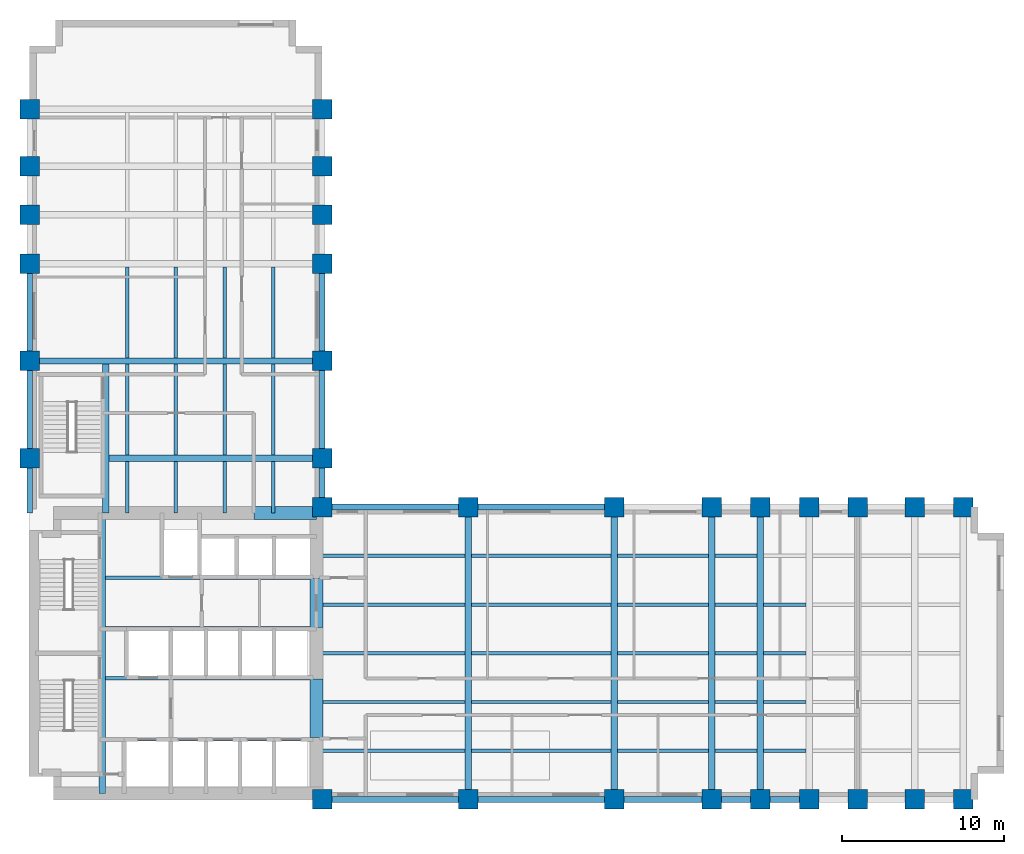
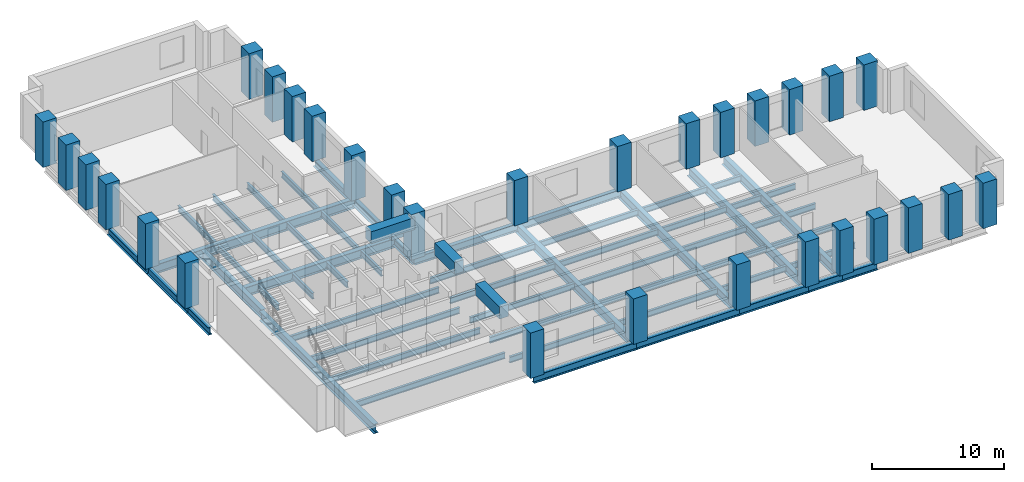
# One storey, part 1 of 7: 64 beams, 30 columns.
"""IFC4 building model written with IfcOpenShell, lengths in metres."""

from ifc_helpers import new_model, si_unit, direction, frame, origin, origin_2d, place, context, subcontext, project, spatial, rectangle, i_section, extrude, material, material_profile, profile_set, type_object, element, save


model = new_model("IFC4")

# Units and contexts
model_context = context("Model", 3, precision=1e-05, world=origin(), true_north=direction((0.0, 1.0)))
body_context = subcontext(model_context, "Body", "Model", "MODEL_VIEW")
ifc_project = project(units=[si_unit("LENGTHUNIT", "METRE"), si_unit("AREAUNIT", "SQUARE_METRE"), si_unit("VOLUMEUNIT", "CUBIC_METRE"), si_unit("PLANEANGLEUNIT", "RADIAN"), si_unit("MASSUNIT", "GRAM", prefix="KILO")], contexts=[model_context])

# Site, building, storey
site_placement = place(None, origin())
site = spatial("IfcSite", under=ifc_project, at=site_placement, CompositionType="ELEMENT")
building_placement = place(site_placement, origin())
building = spatial("IfcBuilding", under=site, at=building_placement, Name="Mawjdan Bourse Tower", CompositionType="ELEMENT")
storey_placement = place(building_placement, frame((0.0, 0.0, 30.0)))
storey = spatial("IfcBuildingStorey", under=building, at=storey_placement, Name="L06", CompositionType="ELEMENT", Elevation=30.0)

# Columns
ifc_material_1 = material(Name="Concrete C80/95", Category="concrete")
ifc_material_profile_1 = material_profile(ifc_material_1, rectangle(XDim=1.199951171875, YDim=1.199951171875, at=origin_2d()), Name="RC1200X1200")
ifc_profile_set_1 = profile_set([ifc_material_profile_1], Name="Concrete C80/95")
column_type = type_object("IfcColumnType", Name="COL-RC1200X1200", PredefinedType="COLUMN", material=ifc_profile_set_1)
for number, where, z_axis, x_axis, name in (
    (1, (24.0, 3.0, 0.0), (0.0, 0.0, 1.0), (1.0, 0.0, 0.0), "L06 Structural Column C-X240-Y30"),
    (2, (24.0, 21.0, 0.0), (0.0, 0.0, 1.0), (1.0, 0.0, 0.0), "L06 Structural Column C-X240-Y210"),
    (3, (33.0, 3.0, 0.0), (0.0, 0.0, 1.0), (1.0, 0.0, 0.0), "L06 Structural Column C-X330-Y30"),
    (4, (33.0, 21.0, 0.0), (0.0, 0.0, 1.0), (1.0, 0.0, 0.0), "L06 Structural Column C-X330-Y210"),
    (5, (42.0, 3.0, 0.0), (0.0, 0.0, 1.0), (1.0, 0.0, 0.0), "L06 Structural Column C-X420-Y30"),
    (6, (42.0, 21.0, 0.0), (0.0, 0.0, 1.0), (1.0, 0.0, 0.0), "L06 Structural Column C-X420-Y210"),
    (7, (48.0, 3.0, 0.0), (0.0, 0.0, 1.0), (1.0, 0.0, 0.0), "L06 Structural Column C-X480-Y30"),
    (8, (48.0, 21.0, 0.0), (0.0, 0.0, 1.0), (1.0, 0.0, 0.0), "L06 Structural Column C-X480-Y210"),
    (9, (51.0, 3.0, 0.0), (0.0, 0.0, 1.0), (1.0, 0.0, 0.0), "L06 Structural Column C-X510-Y30"),
    (10, (51.0, 21.0, 0.0), (0.0, 0.0, 1.0), (1.0, 0.0, 0.0), "L06 Structural Column C-X510-Y210"),
    (11, (54.0, 3.0, 0.0), (0.0, 0.0, 1.0), (1.0, 0.0, 0.0), "L06 Structural Column C-X540-Y30"),
    (12, (54.0, 21.0, 0.0), (0.0, 0.0, 1.0), (1.0, 0.0, 0.0), "L06 Structural Column C-X540-Y210"),
    (13, (57.0, 3.0, 0.0), (0.0, 0.0, 1.0), (1.0, 0.0, 0.0), "L06 Structural Column C-X570-Y30"),
    (14, (57.0, 21.0, 0.0), (0.0, 0.0, 1.0), (1.0, 0.0, 0.0), "L06 Structural Column C-X570-Y210"),
    (15, (60.5, 3.0, 0.0), (0.0, 0.0, 1.0), (1.0, 0.0, 0.0), "L06 Structural Column C-X605-Y30"),
    (16, (60.5, 21.0, 0.0), (0.0, 0.0, 1.0), (1.0, 0.0, 0.0), "L06 Structural Column C-X605-Y210"),
    (17, (63.5, 3.0, 0.0), (0.0, 0.0, 1.0), (1.0, 0.0, 0.0), "L06 Structural Column C-X635-Y30"),
    (18, (63.5, 21.0, 0.0), (0.0, 0.0, 1.0), (1.0, 0.0, 0.0), "L06 Structural Column C-X635-Y210"),
    (19, (6.0, 24.0, 0.0), (0.0, 0.0, 1.0), (1.0, 0.0, 0.0), "L06 Structural Column C-X60-Y240"),
    (20, (24.0, 24.0, 0.0), (0.0, 0.0, 1.0), (1.0, 0.0, 0.0), "L06 Structural Column C-X240-Y240"),
    (21, (6.0, 30.0, 0.0), (0.0, 0.0, 1.0), (1.0, 0.0, 0.0), "L06 Structural Column C-X60-Y300"),
    (22, (24.0, 30.0, 0.0), (0.0, 0.0, 1.0), (1.0, 0.0, 0.0), "L06 Structural Column C-X240-Y300"),
    (23, (6.0, 36.0, 0.0), (0.0, 0.0, 1.0), (1.0, 0.0, 0.0), "L06 Structural Column C-X60-Y360"),
    (24, (24.0, 36.0, 0.0), (0.0, 0.0, 1.0), (1.0, 0.0, 0.0), "L06 Structural Column C-X240-Y360"),
    (25, (6.0, 39.0, 0.0), (0.0, 0.0, 1.0), (1.0, 0.0, 0.0), "L06 Structural Column C-X60-Y390"),
    (26, (24.0, 39.0, 0.0), (0.0, 0.0, 1.0), (1.0, 0.0, 0.0), "L06 Structural Column C-X240-Y390"),
    (27, (6.0, 42.0, 0.0), (0.0, 0.0, 1.0), (1.0, 0.0, 0.0), "L06 Structural Column C-X60-Y420"),
    (28, (24.0, 42.0, 0.0), (0.0, 0.0, 1.0), (1.0, 0.0, 0.0), "L06 Structural Column C-X240-Y420"),
    (29, (6.0, 45.5, 0.0), (0.0, 0.0, 1.0), (1.0, 0.0, 0.0), "L06 Structural Column C-X60-Y455"),
    (30, (24.0, 45.5, 0.0), (0.0, 0.0, 1.0), (1.0, 0.0, 0.0), "L06 Structural Column C-X240-Y455"),
):
    element("IfcColumn", number, at=place(storey_placement, frame(where, z_axis=z_axis, x_axis=x_axis)), inside=storey, type_object=column_type, Name=name, PredefinedType="COLUMN", context=body_context, shape_type="SweptSolid", body=[
        extrude(rectangle(XDim=1.199951171875, YDim=1.199951171875, at=origin_2d()), origin(), (0.0, 0.0, 1.0), 4.199951171875),
    ])

# Beams
ifc_material_2 = material(Name="Structural Steel S355", Category="steel")
ifc_material_profile_2 = material_profile(ifc_material_2, i_section(OverallWidth=0.39892578125, OverallDepth=0.85595703125, WebThickness=0.018310546875, FlangeThickness=0.029296875, FilletRadius=0.0234375, at=origin_2d()), Name="W33X201")
ifc_profile_set_2 = profile_set([ifc_material_profile_2], Name="Structural Steel S355")
beam_type_1 = type_object("IfcBeamType", Name="GRD-W33X201", PredefinedType="BEAM", material=ifc_profile_set_2)
beam_1_placement = place(storey_placement, frame((10.47998046875, 3.35009765625, -0.64794921875), z_axis=(0.0, 1.0, 0.0), x_axis=(-1.0, 0.0, 0.0)))
element("IfcBeam", 31, at=beam_1_placement, inside=storey, type_object=beam_type_1, Name="L06 Core Stair Trimmer Girder 001", PredefinedType="BEAM", context=body_context, shape_type="SweptSolid", body=[
    extrude(i_section(OverallWidth=0.39892578125, OverallDepth=0.85595703125, WebThickness=0.018310546875, FlangeThickness=0.029296875, FilletRadius=0.0234375, at=origin_2d()), origin(), (0.0, 0.0, 1.0), 17.2998046875),
])
for number, where, z_axis, x_axis, name in (
    (32, (33.0, 3.0, -0.64794921875), (0.0, 1.0, 0.0), (-1.0, 0.0, 0.0), "L06 East Wing Clear-Span Girder 002"),
    (33, (42.0, 3.0, -0.64794921875), (0.0, 1.0, 0.0), (-1.0, 0.0, 0.0), "L06 East Wing Clear-Span Girder 003"),
    (34, (48.0, 3.0, -0.64794921875), (0.0, 1.0, 0.0), (-1.0, 0.0, 0.0), "L06 East Wing Clear-Span Girder 004"),
    (35, (51.0, 3.0, -0.64794921875), (0.0, 1.0, 0.0), (-1.0, 0.0, 0.0), "L06 East Wing Clear-Span Girder 005"),
):
    element("IfcBeam", number, at=place(storey_placement, frame(where, z_axis=z_axis, x_axis=x_axis)), inside=storey, type_object=beam_type_1, Name=name, PredefinedType="BEAM", context=body_context, shape_type="SweptSolid", body=[
        extrude(i_section(OverallWidth=0.39892578125, OverallDepth=0.85595703125, WebThickness=0.018310546875, FlangeThickness=0.029296875, FilletRadius=0.0234375, at=origin_2d()), origin(), (0.0, 0.0, 1.0), 18.0),
    ])
beam_2_placement = place(storey_placement, frame((10.679931640625, 20.64990234375, -0.64794921875), z_axis=(0.0, 1.0, 0.0), x_axis=(-1.0, 0.0, 0.0)))
element("IfcBeam", 36, at=beam_2_placement, inside=storey, type_object=beam_type_1, Name="L06 North Wing Stair Trimmer Girder 070", PredefinedType="BEAM", context=body_context, shape_type="SweptSolid", body=[
    extrude(i_section(OverallWidth=0.39892578125, OverallDepth=0.85595703125, WebThickness=0.018310546875, FlangeThickness=0.029296875, FilletRadius=0.0234375, at=origin_2d()), origin(), (0.0, 0.0, 1.0), 9.152587890625),
])
beam_3_placement = place(storey_placement, frame((10.87744140625, 24.0, -0.64794921875), z_axis=(1.0, 0.0, 0.0), x_axis=(0.0, 1.0, 0.0)))
element("IfcBeam", 37, at=beam_3_placement, inside=storey, type_object=beam_type_1, Name="L06 North Wing Clear-Span Girder 071", PredefinedType="BEAM", context=body_context, shape_type="SweptSolid", body=[
    extrude(i_section(OverallWidth=0.39892578125, OverallDepth=0.85595703125, WebThickness=0.018310546875, FlangeThickness=0.029296875, FilletRadius=0.0234375, at=origin_2d()), origin(), (0.0, 0.0, 1.0), 13.12255859375),
])
beam_4_placement = place(storey_placement, frame((6.0, 30.0, -0.64794921875), z_axis=(1.0, 0.0, 0.0), x_axis=(0.0, 1.0, 0.0)))
element("IfcBeam", 38, at=beam_4_placement, inside=storey, type_object=beam_type_1, Name="L06 North Wing Clear-Span Girder 072", PredefinedType="BEAM", context=body_context, shape_type="SweptSolid", body=[
    extrude(i_section(OverallWidth=0.39892578125, OverallDepth=0.85595703125, WebThickness=0.018310546875, FlangeThickness=0.029296875, FilletRadius=0.0234375, at=origin_2d()), origin(), (0.0, 0.0, 1.0), 18.0),
])
ifc_material_profile_3 = material_profile(ifc_material_2, i_section(OverallWidth=0.2119140625, OverallDepth=0.5439453125, WebThickness=0.01318359375, FlangeThickness=0.021240234375, FilletRadius=0.01708984375, at=origin_2d()), Name="W21X83")
ifc_profile_set_3 = profile_set([ifc_material_profile_3], Name="Structural Steel S355")
beam_type_2 = type_object("IfcBeamType", Name="JST-W21X83", PredefinedType="JOIST", material=ifc_profile_set_3)
beam_5_placement = place(storey_placement, frame((23.64990234375, 6.0, -0.491943359375), z_axis=(1.0, 0.0, 0.0), x_axis=(0.0, 1.0, 0.0)))
element("IfcBeam", 39, at=beam_5_placement, inside=storey, type_object=beam_type_2, Name="L06 East Wing Composite Joist 026", PredefinedType="JOIST", context=body_context, shape_type="SweptSolid", body=[
    extrude(i_section(OverallWidth=0.2119140625, OverallDepth=0.5439453125, WebThickness=0.01318359375, FlangeThickness=0.021240234375, FilletRadius=0.01708984375, at=origin_2d()), origin(), (0.0, 0.0, 1.0), 9.152587890625),
])
beam_6_placement = place(storey_placement, frame((33.197509765625, 6.0, -0.491943359375), z_axis=(1.0, 0.0, 0.0), x_axis=(0.0, 1.0, 0.0)))
element("IfcBeam", 40, at=beam_6_placement, inside=storey, type_object=beam_type_2, Name="L06 East Wing Composite Joist 027", PredefinedType="JOIST", context=body_context, shape_type="SweptSolid", body=[
    extrude(i_section(OverallWidth=0.2119140625, OverallDepth=0.5439453125, WebThickness=0.01318359375, FlangeThickness=0.021240234375, FilletRadius=0.01708984375, at=origin_2d()), origin(), (0.0, 0.0, 1.0), 8.60498046875),
])
beam_7_placement = place(storey_placement, frame((42.197509765625, 6.0, -0.491943359375), z_axis=(1.0, 0.0, 0.0), x_axis=(0.0, 1.0, 0.0)))
element("IfcBeam", 41, at=beam_7_placement, inside=storey, type_object=beam_type_2, Name="L06 East Wing Composite Joist 028", PredefinedType="JOIST", context=body_context, shape_type="SweptSolid", body=[
    extrude(i_section(OverallWidth=0.2119140625, OverallDepth=0.5439453125, WebThickness=0.01318359375, FlangeThickness=0.021240234375, FilletRadius=0.01708984375, at=origin_2d()), origin(), (0.0, 0.0, 1.0), 5.60498046875),
])
for number, where, z_axis, x_axis, name in (
    (42, (48.197509765625, 6.0, -0.491943359375), (1.0, 0.0, 0.0), (0.0, 1.0, 0.0), "L06 East Wing Composite Joist 029"),
    (43, (51.197509765625, 6.0, -0.491943359375), (1.0, 0.0, 0.0), (0.0, 1.0, 0.0), "L06 East Wing Composite Joist 030"),
):
    element("IfcBeam", number, at=place(storey_placement, frame(where, z_axis=z_axis, x_axis=x_axis)), inside=storey, type_object=beam_type_2, Name=name, PredefinedType="JOIST", context=body_context, shape_type="SweptSolid", body=[
        extrude(i_section(OverallWidth=0.2119140625, OverallDepth=0.5439453125, WebThickness=0.01318359375, FlangeThickness=0.021240234375, FilletRadius=0.01708984375, at=origin_2d()), origin(), (0.0, 0.0, 1.0), 2.60498046875),
    ])
beam_8_placement = place(storey_placement, frame((23.64990234375, 9.0, -0.491943359375), z_axis=(1.0, 0.0, 0.0), x_axis=(0.0, 1.0, 0.0)))
element("IfcBeam", 44, at=beam_8_placement, inside=storey, type_object=beam_type_2, Name="L06 East Wing Composite Joist 034", PredefinedType="JOIST", context=body_context, shape_type="SweptSolid", body=[
    extrude(i_section(OverallWidth=0.2119140625, OverallDepth=0.5439453125, WebThickness=0.01318359375, FlangeThickness=0.021240234375, FilletRadius=0.01708984375, at=origin_2d()), origin(), (0.0, 0.0, 1.0), 9.152587890625),
])
beam_9_placement = place(storey_placement, frame((33.197509765625, 9.0, -0.491943359375), z_axis=(1.0, 0.0, 0.0), x_axis=(0.0, 1.0, 0.0)))
element("IfcBeam", 45, at=beam_9_placement, inside=storey, type_object=beam_type_2, Name="L06 East Wing Composite Joist 035", PredefinedType="JOIST", context=body_context, shape_type="SweptSolid", body=[
    extrude(i_section(OverallWidth=0.2119140625, OverallDepth=0.5439453125, WebThickness=0.01318359375, FlangeThickness=0.021240234375, FilletRadius=0.01708984375, at=origin_2d()), origin(), (0.0, 0.0, 1.0), 8.60498046875),
])
beam_10_placement = place(storey_placement, frame((42.197509765625, 9.0, -0.491943359375), z_axis=(1.0, 0.0, 0.0), x_axis=(0.0, 1.0, 0.0)))
element("IfcBeam", 46, at=beam_10_placement, inside=storey, type_object=beam_type_2, Name="L06 East Wing Composite Joist 036", PredefinedType="JOIST", context=body_context, shape_type="SweptSolid", body=[
    extrude(i_section(OverallWidth=0.2119140625, OverallDepth=0.5439453125, WebThickness=0.01318359375, FlangeThickness=0.021240234375, FilletRadius=0.01708984375, at=origin_2d()), origin(), (0.0, 0.0, 1.0), 5.60498046875),
])
for number, where, z_axis, x_axis, name in (
    (47, (48.197509765625, 9.0, -0.491943359375), (1.0, 0.0, 0.0), (0.0, 1.0, 0.0), "L06 East Wing Composite Joist 037"),
    (48, (51.197509765625, 9.0, -0.491943359375), (1.0, 0.0, 0.0), (0.0, 1.0, 0.0), "L06 East Wing Composite Joist 038"),
):
    element("IfcBeam", number, at=place(storey_placement, frame(where, z_axis=z_axis, x_axis=x_axis)), inside=storey, type_object=beam_type_2, Name=name, PredefinedType="JOIST", context=body_context, shape_type="SweptSolid", body=[
        extrude(i_section(OverallWidth=0.2119140625, OverallDepth=0.5439453125, WebThickness=0.01318359375, FlangeThickness=0.021240234375, FilletRadius=0.01708984375, at=origin_2d()), origin(), (0.0, 0.0, 1.0), 2.60498046875),
    ])
beam_11_placement = place(storey_placement, frame((23.64990234375, 12.0, -0.491943359375), z_axis=(1.0, 0.0, 0.0), x_axis=(0.0, 1.0, 0.0)))
element("IfcBeam", 49, at=beam_11_placement, inside=storey, type_object=beam_type_2, Name="L06 East Wing Composite Joist 042", PredefinedType="JOIST", context=body_context, shape_type="SweptSolid", body=[
    extrude(i_section(OverallWidth=0.2119140625, OverallDepth=0.5439453125, WebThickness=0.01318359375, FlangeThickness=0.021240234375, FilletRadius=0.01708984375, at=origin_2d()), origin(), (0.0, 0.0, 1.0), 9.152587890625),
])
beam_12_placement = place(storey_placement, frame((33.197509765625, 12.0, -0.491943359375), z_axis=(1.0, 0.0, 0.0), x_axis=(0.0, 1.0, 0.0)))
element("IfcBeam", 50, at=beam_12_placement, inside=storey, type_object=beam_type_2, Name="L06 East Wing Composite Joist 043", PredefinedType="JOIST", context=body_context, shape_type="SweptSolid", body=[
    extrude(i_section(OverallWidth=0.2119140625, OverallDepth=0.5439453125, WebThickness=0.01318359375, FlangeThickness=0.021240234375, FilletRadius=0.01708984375, at=origin_2d()), origin(), (0.0, 0.0, 1.0), 8.60498046875),
])
beam_13_placement = place(storey_placement, frame((42.197509765625, 12.0, -0.491943359375), z_axis=(1.0, 0.0, 0.0), x_axis=(0.0, 1.0, 0.0)))
element("IfcBeam", 51, at=beam_13_placement, inside=storey, type_object=beam_type_2, Name="L06 East Wing Composite Joist 044", PredefinedType="JOIST", context=body_context, shape_type="SweptSolid", body=[
    extrude(i_section(OverallWidth=0.2119140625, OverallDepth=0.5439453125, WebThickness=0.01318359375, FlangeThickness=0.021240234375, FilletRadius=0.01708984375, at=origin_2d()), origin(), (0.0, 0.0, 1.0), 5.60498046875),
])
for number, where, z_axis, x_axis, name in (
    (52, (48.197509765625, 12.0, -0.491943359375), (1.0, 0.0, 0.0), (0.0, 1.0, 0.0), "L06 East Wing Composite Joist 045"),
    (53, (51.197509765625, 12.0, -0.491943359375), (1.0, 0.0, 0.0), (0.0, 1.0, 0.0), "L06 East Wing Composite Joist 046"),
):
    element("IfcBeam", number, at=place(storey_placement, frame(where, z_axis=z_axis, x_axis=x_axis)), inside=storey, type_object=beam_type_2, Name=name, PredefinedType="JOIST", context=body_context, shape_type="SweptSolid", body=[
        extrude(i_section(OverallWidth=0.2119140625, OverallDepth=0.5439453125, WebThickness=0.01318359375, FlangeThickness=0.021240234375, FilletRadius=0.01708984375, at=origin_2d()), origin(), (0.0, 0.0, 1.0), 2.60498046875),
    ])
beam_14_placement = place(storey_placement, frame((23.64990234375, 15.0, -0.491943359375), z_axis=(1.0, 0.0, 0.0), x_axis=(0.0, 1.0, 0.0)))
element("IfcBeam", 54, at=beam_14_placement, inside=storey, type_object=beam_type_2, Name="L06 East Wing Composite Joist 050", PredefinedType="JOIST", context=body_context, shape_type="SweptSolid", body=[
    extrude(i_section(OverallWidth=0.2119140625, OverallDepth=0.5439453125, WebThickness=0.01318359375, FlangeThickness=0.021240234375, FilletRadius=0.01708984375, at=origin_2d()), origin(), (0.0, 0.0, 1.0), 9.152587890625),
])
beam_15_placement = place(storey_placement, frame((33.197509765625, 15.0, -0.491943359375), z_axis=(1.0, 0.0, 0.0), x_axis=(0.0, 1.0, 0.0)))
element("IfcBeam", 55, at=beam_15_placement, inside=storey, type_object=beam_type_2, Name="L06 East Wing Composite Joist 051", PredefinedType="JOIST", context=body_context, shape_type="SweptSolid", body=[
    extrude(i_section(OverallWidth=0.2119140625, OverallDepth=0.5439453125, WebThickness=0.01318359375, FlangeThickness=0.021240234375, FilletRadius=0.01708984375, at=origin_2d()), origin(), (0.0, 0.0, 1.0), 8.60498046875),
])
beam_16_placement = place(storey_placement, frame((42.197509765625, 15.0, -0.491943359375), z_axis=(1.0, 0.0, 0.0), x_axis=(0.0, 1.0, 0.0)))
element("IfcBeam", 56, at=beam_16_placement, inside=storey, type_object=beam_type_2, Name="L06 East Wing Composite Joist 052", PredefinedType="JOIST", context=body_context, shape_type="SweptSolid", body=[
    extrude(i_section(OverallWidth=0.2119140625, OverallDepth=0.5439453125, WebThickness=0.01318359375, FlangeThickness=0.021240234375, FilletRadius=0.01708984375, at=origin_2d()), origin(), (0.0, 0.0, 1.0), 5.60498046875),
])
for number, where, z_axis, x_axis, name in (
    (57, (48.197509765625, 15.0, -0.491943359375), (1.0, 0.0, 0.0), (0.0, 1.0, 0.0), "L06 East Wing Composite Joist 053"),
    (58, (51.197509765625, 15.0, -0.491943359375), (1.0, 0.0, 0.0), (0.0, 1.0, 0.0), "L06 East Wing Composite Joist 054"),
):
    element("IfcBeam", number, at=place(storey_placement, frame(where, z_axis=z_axis, x_axis=x_axis)), inside=storey, type_object=beam_type_2, Name=name, PredefinedType="JOIST", context=body_context, shape_type="SweptSolid", body=[
        extrude(i_section(OverallWidth=0.2119140625, OverallDepth=0.5439453125, WebThickness=0.01318359375, FlangeThickness=0.021240234375, FilletRadius=0.01708984375, at=origin_2d()), origin(), (0.0, 0.0, 1.0), 2.60498046875),
    ])
beam_17_placement = place(storey_placement, frame((23.64990234375, 18.0, -0.491943359375), z_axis=(1.0, 0.0, 0.0), x_axis=(0.0, 1.0, 0.0)))
element("IfcBeam", 59, at=beam_17_placement, inside=storey, type_object=beam_type_2, Name="L06 East Wing Composite Joist 058", PredefinedType="JOIST", context=body_context, shape_type="SweptSolid", body=[
    extrude(i_section(OverallWidth=0.2119140625, OverallDepth=0.5439453125, WebThickness=0.01318359375, FlangeThickness=0.021240234375, FilletRadius=0.01708984375, at=origin_2d()), origin(), (0.0, 0.0, 1.0), 9.152587890625),
])
beam_18_placement = place(storey_placement, frame((33.197509765625, 18.0, -0.491943359375), z_axis=(1.0, 0.0, 0.0), x_axis=(0.0, 1.0, 0.0)))
element("IfcBeam", 60, at=beam_18_placement, inside=storey, type_object=beam_type_2, Name="L06 East Wing Composite Joist 059", PredefinedType="JOIST", context=body_context, shape_type="SweptSolid", body=[
    extrude(i_section(OverallWidth=0.2119140625, OverallDepth=0.5439453125, WebThickness=0.01318359375, FlangeThickness=0.021240234375, FilletRadius=0.01708984375, at=origin_2d()), origin(), (0.0, 0.0, 1.0), 8.60498046875),
])
beam_19_placement = place(storey_placement, frame((42.197509765625, 18.0, -0.491943359375), z_axis=(1.0, 0.0, 0.0), x_axis=(0.0, 1.0, 0.0)))
element("IfcBeam", 61, at=beam_19_placement, inside=storey, type_object=beam_type_2, Name="L06 East Wing Composite Joist 060", PredefinedType="JOIST", context=body_context, shape_type="SweptSolid", body=[
    extrude(i_section(OverallWidth=0.2119140625, OverallDepth=0.5439453125, WebThickness=0.01318359375, FlangeThickness=0.021240234375, FilletRadius=0.01708984375, at=origin_2d()), origin(), (0.0, 0.0, 1.0), 5.60498046875),
])
beam_20_placement = place(storey_placement, frame((48.197509765625, 18.0, -0.491943359375), z_axis=(1.0, 0.0, 0.0), x_axis=(0.0, 1.0, 0.0)))
element("IfcBeam", 62, at=beam_20_placement, inside=storey, type_object=beam_type_2, Name="L06 East Wing Composite Joist 061", PredefinedType="JOIST", context=body_context, shape_type="SweptSolid", body=[
    extrude(i_section(OverallWidth=0.2119140625, OverallDepth=0.5439453125, WebThickness=0.01318359375, FlangeThickness=0.021240234375, FilletRadius=0.01708984375, at=origin_2d()), origin(), (0.0, 0.0, 1.0), 2.60498046875),
])
for number, where, z_axis, x_axis, name in (
    (63, (10.677490234375, 6.699951171875, -0.491943359375), (1.0, 0.0, 0.0), (0.0, 1.0, 0.0), "L06 Core Floor Joist 066"),
    (64, (10.677490234375, 10.449951171875, -0.491943359375), (1.0, 0.0, 0.0), (0.0, 1.0, 0.0), "L06 Core Floor Joist 067"),
    (65, (10.677490234375, 13.550048828125, -0.491943359375), (1.0, 0.0, 0.0), (0.0, 1.0, 0.0), "L06 Core Floor Joist 068"),
    (66, (10.677490234375, 16.64990234375, -0.491943359375), (1.0, 0.0, 0.0), (0.0, 1.0, 0.0), "L06 Core Floor Joist 069"),
):
    element("IfcBeam", number, at=place(storey_placement, frame(where, z_axis=z_axis, x_axis=x_axis)), inside=storey, type_object=beam_type_2, Name=name, PredefinedType="JOIST", context=body_context, shape_type="SweptSolid", body=[
        extrude(i_section(OverallWidth=0.2119140625, OverallDepth=0.5439453125, WebThickness=0.01318359375, FlangeThickness=0.021240234375, FilletRadius=0.01708984375, at=origin_2d()), origin(), (0.0, 0.0, 1.0), 12.972412109375),
    ])
beam_21_placement = place(storey_placement, frame((12.0, 20.64990234375, -0.491943359375), z_axis=(0.0, 1.0, 0.0), x_axis=(-1.0, 0.0, 0.0)))
element("IfcBeam", 67, at=beam_21_placement, inside=storey, type_object=beam_type_2, Name="L06 North Wing Composite Joist 089", PredefinedType="JOIST", context=body_context, shape_type="SweptSolid", body=[
    extrude(i_section(OverallWidth=0.2119140625, OverallDepth=0.5439453125, WebThickness=0.01318359375, FlangeThickness=0.021240234375, FilletRadius=0.01708984375, at=origin_2d()), origin(), (0.0, 0.0, 1.0), 3.152587890625),
])
for number, where, z_axis, x_axis, name in (
    (68, (12.0, 24.197509765625, -0.491943359375), (0.0, 1.0, 0.0), (-1.0, 0.0, 0.0), "L06 North Wing Composite Joist 090"),
    (69, (12.0, 30.197509765625, -0.491943359375), (0.0, 1.0, 0.0), (-1.0, 0.0, 0.0), "L06 North Wing Composite Joist 091"),
):
    element("IfcBeam", number, at=place(storey_placement, frame(where, z_axis=z_axis, x_axis=x_axis)), inside=storey, type_object=beam_type_2, Name=name, PredefinedType="JOIST", context=body_context, shape_type="SweptSolid", body=[
        extrude(i_section(OverallWidth=0.2119140625, OverallDepth=0.5439453125, WebThickness=0.01318359375, FlangeThickness=0.021240234375, FilletRadius=0.01708984375, at=origin_2d()), origin(), (0.0, 0.0, 1.0), 5.60498046875),
    ])
beam_22_placement = place(storey_placement, frame((15.0, 20.64990234375, -0.491943359375), z_axis=(0.0, 1.0, 0.0), x_axis=(-1.0, 0.0, 0.0)))
element("IfcBeam", 70, at=beam_22_placement, inside=storey, type_object=beam_type_2, Name="L06 North Wing Composite Joist 095", PredefinedType="JOIST", context=body_context, shape_type="SweptSolid", body=[
    extrude(i_section(OverallWidth=0.2119140625, OverallDepth=0.5439453125, WebThickness=0.01318359375, FlangeThickness=0.021240234375, FilletRadius=0.01708984375, at=origin_2d()), origin(), (0.0, 0.0, 1.0), 3.152587890625),
])
for number, where, z_axis, x_axis, name in (
    (71, (15.0, 24.197509765625, -0.491943359375), (0.0, 1.0, 0.0), (-1.0, 0.0, 0.0), "L06 North Wing Composite Joist 096"),
    (72, (15.0, 30.197509765625, -0.491943359375), (0.0, 1.0, 0.0), (-1.0, 0.0, 0.0), "L06 North Wing Composite Joist 097"),
):
    element("IfcBeam", number, at=place(storey_placement, frame(where, z_axis=z_axis, x_axis=x_axis)), inside=storey, type_object=beam_type_2, Name=name, PredefinedType="JOIST", context=body_context, shape_type="SweptSolid", body=[
        extrude(i_section(OverallWidth=0.2119140625, OverallDepth=0.5439453125, WebThickness=0.01318359375, FlangeThickness=0.021240234375, FilletRadius=0.01708984375, at=origin_2d()), origin(), (0.0, 0.0, 1.0), 5.60498046875),
    ])
beam_23_placement = place(storey_placement, frame((18.0, 20.64990234375, -0.491943359375), z_axis=(0.0, 1.0, 0.0), x_axis=(-1.0, 0.0, 0.0)))
element("IfcBeam", 73, at=beam_23_placement, inside=storey, type_object=beam_type_2, Name="L06 North Wing Composite Joist 101", PredefinedType="JOIST", context=body_context, shape_type="SweptSolid", body=[
    extrude(i_section(OverallWidth=0.2119140625, OverallDepth=0.5439453125, WebThickness=0.01318359375, FlangeThickness=0.021240234375, FilletRadius=0.01708984375, at=origin_2d()), origin(), (0.0, 0.0, 1.0), 3.152587890625),
])
for number, where, z_axis, x_axis, name in (
    (74, (18.0, 24.197509765625, -0.491943359375), (0.0, 1.0, 0.0), (-1.0, 0.0, 0.0), "L06 North Wing Composite Joist 102"),
    (75, (18.0, 30.197509765625, -0.491943359375), (0.0, 1.0, 0.0), (-1.0, 0.0, 0.0), "L06 North Wing Composite Joist 103"),
):
    element("IfcBeam", number, at=place(storey_placement, frame(where, z_axis=z_axis, x_axis=x_axis)), inside=storey, type_object=beam_type_2, Name=name, PredefinedType="JOIST", context=body_context, shape_type="SweptSolid", body=[
        extrude(i_section(OverallWidth=0.2119140625, OverallDepth=0.5439453125, WebThickness=0.01318359375, FlangeThickness=0.021240234375, FilletRadius=0.01708984375, at=origin_2d()), origin(), (0.0, 0.0, 1.0), 5.60498046875),
    ])
beam_24_placement = place(storey_placement, frame((21.0, 20.64990234375, -0.491943359375), z_axis=(0.0, 1.0, 0.0), x_axis=(-1.0, 0.0, 0.0)))
element("IfcBeam", 76, at=beam_24_placement, inside=storey, type_object=beam_type_2, Name="L06 North Wing Composite Joist 107", PredefinedType="JOIST", context=body_context, shape_type="SweptSolid", body=[
    extrude(i_section(OverallWidth=0.2119140625, OverallDepth=0.5439453125, WebThickness=0.01318359375, FlangeThickness=0.021240234375, FilletRadius=0.01708984375, at=origin_2d()), origin(), (0.0, 0.0, 1.0), 3.152587890625),
])
for number, where, z_axis, x_axis, name in (
    (77, (21.0, 24.197509765625, -0.491943359375), (0.0, 1.0, 0.0), (-1.0, 0.0, 0.0), "L06 North Wing Composite Joist 108"),
    (78, (21.0, 30.197509765625, -0.491943359375), (0.0, 1.0, 0.0), (-1.0, 0.0, 0.0), "L06 North Wing Composite Joist 109"),
):
    element("IfcBeam", number, at=place(storey_placement, frame(where, z_axis=z_axis, x_axis=x_axis)), inside=storey, type_object=beam_type_2, Name=name, PredefinedType="JOIST", context=body_context, shape_type="SweptSolid", body=[
        extrude(i_section(OverallWidth=0.2119140625, OverallDepth=0.5439453125, WebThickness=0.01318359375, FlangeThickness=0.021240234375, FilletRadius=0.01708984375, at=origin_2d()), origin(), (0.0, 0.0, 1.0), 5.60498046875),
    ])
ifc_material_3 = material(Name="Concrete C70/85", Category="concrete")
ifc_material_profile_4 = material_profile(ifc_material_3, rectangle(XDim=0.800048828125, YDim=1.10009765625, at=origin_2d()), Name="RCB800X1100")
ifc_profile_set_4 = profile_set([ifc_material_profile_4], Name="Concrete C70/85")
beam_type_3 = type_object("IfcBeamType", Name="LNT-RCB800X1100", PredefinedType="LINTEL", material=ifc_profile_set_4)
beam_25_placement = place(storey_placement, frame((23.64990234375, 6.800048828125, 3.429931640625), z_axis=(0.0, 1.0, 0.0), x_axis=(-1.0, 0.0, 0.0)))
element("IfcBeam", 79, at=beam_25_placement, inside=storey, type_object=beam_type_3, Name="L06 Coupled Core Lintel CB-E1", PredefinedType="LINTEL", context=body_context, shape_type="SweptSolid", body=[
    extrude(rectangle(XDim=0.800048828125, YDim=1.10009765625, at=origin_2d()), origin(), (0.0, 0.0, 1.0), 3.599853515625),
])
beam_26_placement = place(storey_placement, frame((23.64990234375, 13.60009765625, 3.429931640625), z_axis=(0.0, 1.0, 0.0), x_axis=(-1.0, 0.0, 0.0)))
element("IfcBeam", 80, at=beam_26_placement, inside=storey, type_object=beam_type_3, Name="L06 Coupled Core Lintel CB-E2", PredefinedType="LINTEL", context=body_context, shape_type="SweptSolid", body=[
    extrude(rectangle(XDim=0.800048828125, YDim=1.10009765625, at=origin_2d()), origin(), (0.0, 0.0, 1.0), 3.0),
])
beam_27_placement = place(storey_placement, frame((19.800048828125, 20.64990234375, 3.429931640625), z_axis=(1.0, 0.0, 0.0), x_axis=(0.0, 1.0, 0.0)))
element("IfcBeam", 81, at=beam_27_placement, inside=storey, type_object=beam_type_3, Name="L06 Coupled Core Lintel CB-N1", PredefinedType="LINTEL", context=body_context, shape_type="SweptSolid", body=[
    extrude(rectangle(XDim=0.800048828125, YDim=1.10009765625, at=origin_2d()), origin(), (0.0, 0.0, 1.0), 3.849853515625),
])
ifc_material_profile_5 = material_profile(ifc_material_2, i_section(OverallWidth=0.35498046875, OverallDepth=0.696044921875, WebThickness=0.015380859375, FlangeThickness=0.02490234375, FilletRadius=0.019775390625, at=origin_2d()), Name="W27X146")
ifc_profile_set_5 = profile_set([ifc_material_profile_5], Name="Structural Steel S355")
beam_type_4 = type_object("IfcBeamType", Name="SPN-W27X146", PredefinedType="SPANDREL", material=ifc_profile_set_5)
for number, where, z_axis, x_axis, name in (
    (82, (24.0, 3.0, -0.568115234375), (1.0, 0.0, 0.0), (0.0, 1.0, 0.0), "L06 Perimeter Masonry-Shelf Spandrel 010"),
    (83, (33.0, 3.0, -0.568115234375), (1.0, 0.0, 0.0), (0.0, 1.0, 0.0), "L06 Perimeter Masonry-Shelf Spandrel 011"),
):
    element("IfcBeam", number, at=place(storey_placement, frame(where, z_axis=z_axis, x_axis=x_axis)), inside=storey, type_object=beam_type_4, Name=name, PredefinedType="SPANDREL", context=body_context, shape_type="SweptSolid", body=[
        extrude(i_section(OverallWidth=0.35498046875, OverallDepth=0.696044921875, WebThickness=0.015380859375, FlangeThickness=0.02490234375, FilletRadius=0.019775390625, at=origin_2d()), origin(), (0.0, 0.0, 1.0), 9.0),
    ])
beam_28_placement = place(storey_placement, frame((42.0, 3.0, -0.568115234375), z_axis=(1.0, 0.0, 0.0), x_axis=(0.0, 1.0, 0.0)))
element("IfcBeam", 84, at=beam_28_placement, inside=storey, type_object=beam_type_4, Name="L06 Perimeter Masonry-Shelf Spandrel 012", PredefinedType="SPANDREL", context=body_context, shape_type="SweptSolid", body=[
    extrude(i_section(OverallWidth=0.35498046875, OverallDepth=0.696044921875, WebThickness=0.015380859375, FlangeThickness=0.02490234375, FilletRadius=0.019775390625, at=origin_2d()), origin(), (0.0, 0.0, 1.0), 6.0),
])
for number, where, z_axis, x_axis, name in (
    (85, (48.0, 3.0, -0.568115234375), (1.0, 0.0, 0.0), (0.0, 1.0, 0.0), "L06 Perimeter Masonry-Shelf Spandrel 013"),
    (86, (51.0, 3.0, -0.568115234375), (1.0, 0.0, 0.0), (0.0, 1.0, 0.0), "L06 Perimeter Masonry-Shelf Spandrel 014"),
):
    element("IfcBeam", number, at=place(storey_placement, frame(where, z_axis=z_axis, x_axis=x_axis)), inside=storey, type_object=beam_type_4, Name=name, PredefinedType="SPANDREL", context=body_context, shape_type="SweptSolid", body=[
        extrude(i_section(OverallWidth=0.35498046875, OverallDepth=0.696044921875, WebThickness=0.015380859375, FlangeThickness=0.02490234375, FilletRadius=0.019775390625, at=origin_2d()), origin(), (0.0, 0.0, 1.0), 3.0),
    ])
for number, where, z_axis, x_axis, name in (
    (87, (24.0, 21.0, -0.568115234375), (1.0, 0.0, 0.0), (0.0, 1.0, 0.0), "L06 Perimeter Masonry-Shelf Spandrel 018"),
    (88, (33.0, 21.0, -0.568115234375), (1.0, 0.0, 0.0), (0.0, 1.0, 0.0), "L06 Perimeter Masonry-Shelf Spandrel 019"),
):
    element("IfcBeam", number, at=place(storey_placement, frame(where, z_axis=z_axis, x_axis=x_axis)), inside=storey, type_object=beam_type_4, Name=name, PredefinedType="SPANDREL", context=body_context, shape_type="SweptSolid", body=[
        extrude(i_section(OverallWidth=0.35498046875, OverallDepth=0.696044921875, WebThickness=0.015380859375, FlangeThickness=0.02490234375, FilletRadius=0.019775390625, at=origin_2d()), origin(), (0.0, 0.0, 1.0), 9.0),
    ])
beam_29_placement = place(storey_placement, frame((6.0, 20.64990234375, -0.568115234375), z_axis=(0.0, 1.0, 0.0), x_axis=(-1.0, 0.0, 0.0)))
element("IfcBeam", 89, at=beam_29_placement, inside=storey, type_object=beam_type_4, Name="L06 North Wing Spandrel 077", PredefinedType="SPANDREL", context=body_context, shape_type="SweptSolid", body=[
    extrude(i_section(OverallWidth=0.35498046875, OverallDepth=0.696044921875, WebThickness=0.015380859375, FlangeThickness=0.02490234375, FilletRadius=0.019775390625, at=origin_2d()), origin(), (0.0, 0.0, 1.0), 3.35009765625),
])
for number, where, z_axis, x_axis, name in (
    (90, (6.0, 24.0, -0.568115234375), (0.0, 1.0, 0.0), (-1.0, 0.0, 0.0), "L06 North Wing Spandrel 078"),
    (91, (6.0, 30.0, -0.568115234375), (0.0, 1.0, 0.0), (-1.0, 0.0, 0.0), "L06 North Wing Spandrel 079"),
):
    element("IfcBeam", number, at=place(storey_placement, frame(where, z_axis=z_axis, x_axis=x_axis)), inside=storey, type_object=beam_type_4, Name=name, PredefinedType="SPANDREL", context=body_context, shape_type="SweptSolid", body=[
        extrude(i_section(OverallWidth=0.35498046875, OverallDepth=0.696044921875, WebThickness=0.015380859375, FlangeThickness=0.02490234375, FilletRadius=0.019775390625, at=origin_2d()), origin(), (0.0, 0.0, 1.0), 6.0),
    ])
beam_30_placement = place(storey_placement, frame((24.0, 21.0, -0.568115234375), z_axis=(0.0, 1.0, 0.0), x_axis=(-1.0, 0.0, 0.0)))
element("IfcBeam", 92, at=beam_30_placement, inside=storey, type_object=beam_type_4, Name="L06 North Wing Spandrel 083", PredefinedType="SPANDREL", context=body_context, shape_type="SweptSolid", body=[
    extrude(i_section(OverallWidth=0.35498046875, OverallDepth=0.696044921875, WebThickness=0.015380859375, FlangeThickness=0.02490234375, FilletRadius=0.019775390625, at=origin_2d()), origin(), (0.0, 0.0, 1.0), 3.0),
])
for number, where, z_axis, x_axis, name in (
    (93, (24.0, 24.0, -0.568115234375), (0.0, 1.0, 0.0), (-1.0, 0.0, 0.0), "L06 North Wing Spandrel 084"),
    (94, (24.0, 30.0, -0.568115234375), (0.0, 1.0, 0.0), (-1.0, 0.0, 0.0), "L06 North Wing Spandrel 085"),
):
    element("IfcBeam", number, at=place(storey_placement, frame(where, z_axis=z_axis, x_axis=x_axis)), inside=storey, type_object=beam_type_4, Name=name, PredefinedType="SPANDREL", context=body_context, shape_type="SweptSolid", body=[
        extrude(i_section(OverallWidth=0.35498046875, OverallDepth=0.696044921875, WebThickness=0.015380859375, FlangeThickness=0.02490234375, FilletRadius=0.019775390625, at=origin_2d()), origin(), (0.0, 0.0, 1.0), 6.0),
    ])

save(model, "model.ifc")
